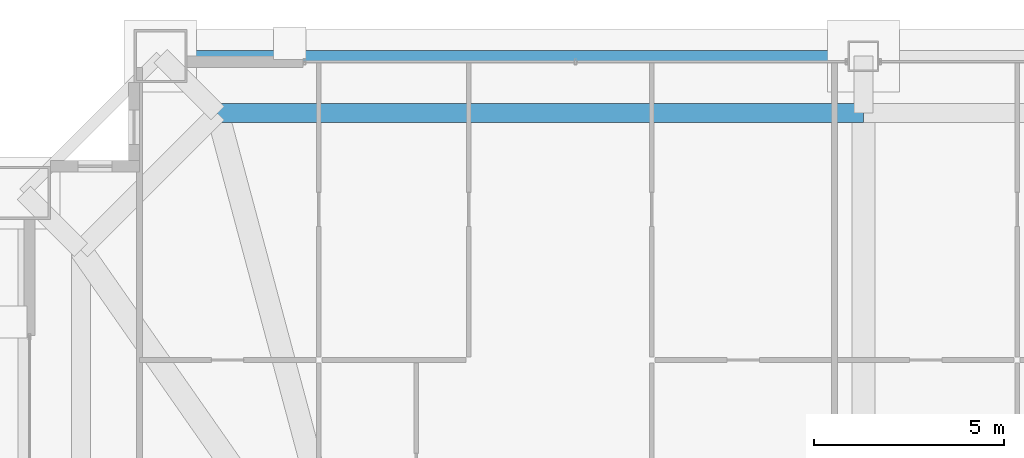
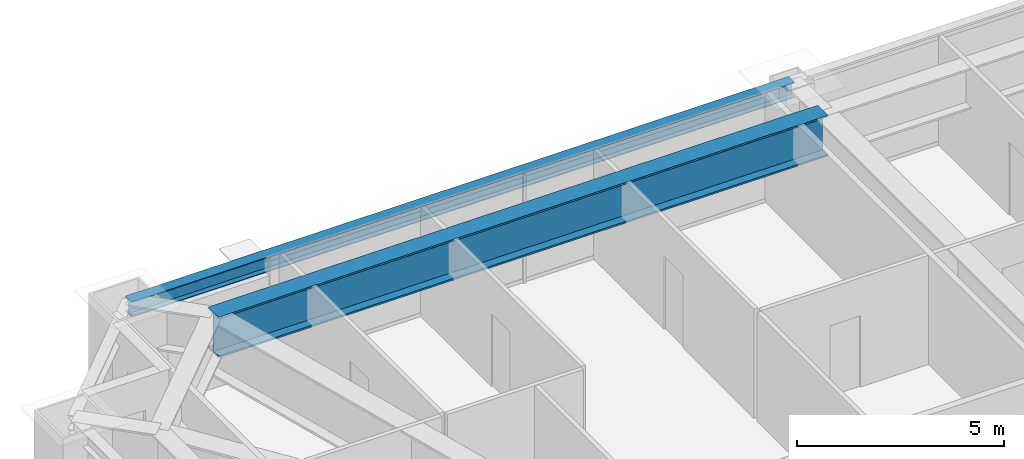
# One storey, part 25 of 39: 2 beams.
"""IFC4 building model written with IfcOpenShell, lengths in metres."""

from ifc_helpers import new_model, si_unit, direction, frame, origin, origin_2d, place, context, subcontext, project, spatial, i_section, extrude, source, transform, mapped, material, material_profile, profile_set, type_object, element, save


model = new_model("IFC4")

# Units and contexts
model_context = context("Model", 3, precision=1e-05, world=origin(), true_north=direction((0.0, 1.0)))
body_context = subcontext(model_context, "Body", "Model", "MODEL_VIEW")
ifc_project = project(units=[si_unit("LENGTHUNIT", "METRE"), si_unit("AREAUNIT", "SQUARE_METRE"), si_unit("VOLUMEUNIT", "CUBIC_METRE"), si_unit("PLANEANGLEUNIT", "RADIAN"), si_unit("MASSUNIT", "GRAM", prefix="KILO"), si_unit("THERMODYNAMICTEMPERATUREUNIT", "KELVIN"), si_unit("POWERUNIT", "WATT")], contexts=[model_context])

# Site, building, storey
site_placement = place(None, origin())
site = spatial("IfcSite", under=ifc_project, at=site_placement, CompositionType="ELEMENT")
building_placement = place(site_placement, origin())
building = spatial("IfcBuilding", under=site, at=building_placement, Name="Yuzanri Waterfront Tower", CompositionType="ELEMENT")
storey_placement = place(building_placement, frame((0.0, 0.0, 216.0)))
storey = spatial("IfcBuildingStorey", under=building, at=storey_placement, Name="L57", CompositionType="ELEMENT", Elevation=216.0)

# Beams
ifc_material_1 = material(Name="Steel Q355B", Category="steel")
ifc_material_profile_1 = material_profile(ifc_material_1, i_section(OverallWidth=0.300048828125, OverallDepth=0.43994140625, WebThickness=0.010986328125, FlangeThickness=0.01806640625, at=origin_2d()), Name="HM 440x300x11x18")
ifc_profile_set_1 = profile_set([ifc_material_profile_1], Name="Steel Q355B")
beam_type_1 = type_object("IfcBeamType", Name="Perimeter Spandrel Q355B HM 440x300", PredefinedType="SPANDREL", material=ifc_profile_set_1)
shared_shape_1 = source(origin(), body_context, "Body", "SweptSolid", [
    extrude(i_section(OverallWidth=0.300048828125, OverallDepth=0.43994140625, WebThickness=0.010986328125, FlangeThickness=0.01806640625, at=origin_2d()), origin(), (0.0, 0.0, 1.0), 18.5),
])
beam_1_placement = place(storey_placement, frame((37.0, 47.89990234375, 3.0), z_axis=(-1.0, 0.0, 0.0), x_axis=(0.0, -1.0, 0.0)))
element("IfcBeam", 1, at=beam_1_placement, inside=storey, type_object=beam_type_1, Name="L57 Perimeter Spandrel N2-N1", PredefinedType="SPANDREL", context=body_context, shape_type="MappedRepresentation", body=[
    mapped(shared_shape_1, transform((0.0, 0.0, 0.0), scale=1.0)),
])
ifc_material_2 = material(Name="Steel Q420GJC", Category="steel")
ifc_material_profile_2 = material_profile(ifc_material_2, i_section(OverallWidth=0.5, OverallDepth=1.199951171875, WebThickness=0.028076171875, FlangeThickness=0.050048828125, at=origin_2d()), Name="PG 1200x500x28x50")
ifc_profile_set_2 = profile_set([ifc_material_profile_2], Name="Steel Q420GJC")
beam_type_2 = type_object("IfcBeamType", Name="Setback Transfer Girder Q420GJC PG 1200x500", PredefinedType="USERDEFINED", material=ifc_profile_set_2)
shared_shape_2 = source(origin(), body_context, "Body", "SweptSolid", [
    extrude(i_section(OverallWidth=0.5, OverallDepth=1.199951171875, WebThickness=0.028076171875, FlangeThickness=0.050048828125, at=origin_2d()), origin(), (0.0, 0.0, 1.0), 17.0),
])
beam_2_placement = place(storey_placement, frame((37.0, 46.39990234375, 2.6201171875), z_axis=(-1.0, 0.0, 0.0), x_axis=(0.0, -1.0, 0.0)))
element("IfcBeam", 2, at=beam_2_placement, inside=storey, type_object=beam_type_2, Name="L57 Setback Upper Ring N2-N1", ObjectType="GIRDER", PredefinedType="USERDEFINED", context=body_context, shape_type="MappedRepresentation", body=[
    mapped(shared_shape_2, transform((0.0, 0.0, 0.0), scale=1.0)),
])

save(model, "model.ifc")
